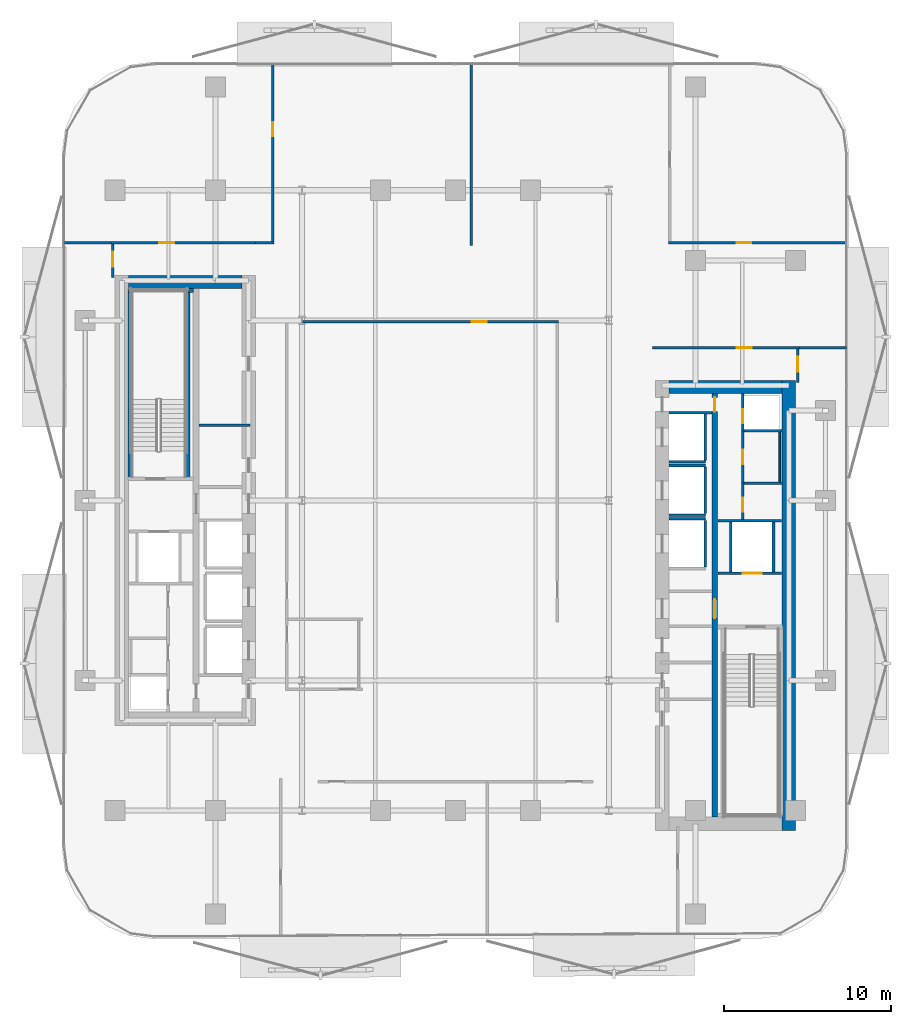
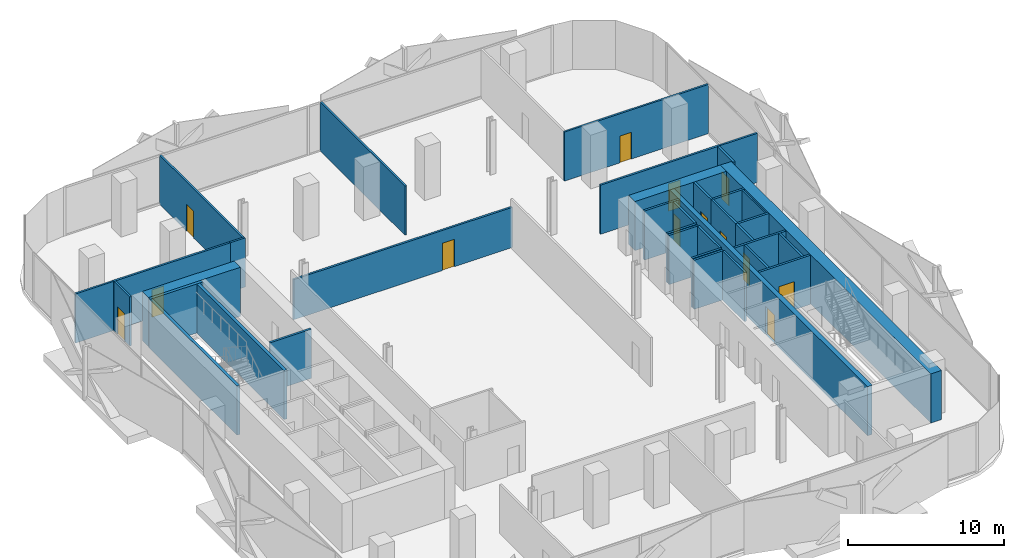
# One storey, part 5 of 15: 37 walls, 13 doors, 13 openings.
"""IFC4 building model written with IfcOpenShell, lengths in metres."""

from ifc_helpers import new_model, si_unit, direction, frame, frame_2d, origin, place, context, subcontext, project, spatial, rectangle, extrude, material, layer, layer_set, type_object, element, fill, save


model = new_model("IFC4")

# Units and contexts
model_context = context("Model", 3, precision=1e-05, world=origin(), true_north=direction((0.0, 1.0)))
body_context = subcontext(model_context, "Body", "Model", "MODEL_VIEW")
ifc_project = project(units=[si_unit("LENGTHUNIT", "METRE"), si_unit("AREAUNIT", "SQUARE_METRE"), si_unit("VOLUMEUNIT", "CUBIC_METRE"), si_unit("PLANEANGLEUNIT", "RADIAN"), si_unit("MASSUNIT", "GRAM", prefix="KILO")], contexts=[model_context])

# Site, building, storey
site_placement = place(None, origin())
site = spatial("IfcSite", under=ifc_project, at=site_placement, CompositionType="ELEMENT")
building_placement = place(site_placement, origin())
building = spatial("IfcBuilding", under=site, at=building_placement, Name="Khairoan Windgate Tower", CompositionType="ELEMENT")
storey_placement = place(building_placement, frame((0.0, 0.0, 147.800048828125)))
storey = spatial("IfcBuildingStorey", under=building, at=storey_placement, Name="L34", CompositionType="ELEMENT", Elevation=147.800048828125)

# Walls
ifc_material_1 = material(Name="Moisture-Resistant Gypsum Partition", Category="gypsum")
ifc_layer_1 = layer(ifc_material_1, 0.10009765625, Name="Moisture-Resistant Gypsum Partition")
ifc_layer_set_1 = layer_set([ifc_layer_1], Name="Moisture-Resistant Gypsum Partition")
wall_type_1 = type_object("IfcWallType", Name="Bathroom Wet-Area Partition Wall", PredefinedType="PARTITIONING", material=ifc_layer_set_1)
wall_1_placement = place(storey_placement, frame((19.449951171875, 4.090087890625, 0.0), z_axis=(0.0, 0.0, 1.0), x_axis=(0.0, -1.0, 0.0)))
element("IfcWall", 1, at=wall_1_placement, inside=storey, type_object=wall_type_1, Name="L34 Wet Room Side Wall 037", PredefinedType="PARTITIONING", context=body_context, shape_type="SweptSolid", body=[
    extrude(rectangle(XDim=2.97998046875, YDim=0.10009765625, at=frame_2d((1.489990234375, 0.0))), origin(), (0.0, 0.0, 1.0), 3.849853515625),
])
ifc_material_2 = material(Name="Concrete C40/50", Category="concrete")
ifc_layer_2 = layer(ifc_material_2, 0.159912109375, Name="Concrete C40/50")
ifc_layer_set_2 = layer_set([ifc_layer_2], Name="Concrete C40/50")
wall_type_2 = type_object("IfcWallType", Name="Core and Hoistway Enclosure Wall", PredefinedType="STANDARD", material=ifc_layer_set_2)
wall_2_placement = place(storey_placement, frame((12.800048828125, 2.31005859375, 0.0), z_axis=(0.0, 0.0, 1.0), x_axis=(1.0, 0.0, 0.0)))
element("IfcWall", 2, at=wall_2_placement, inside=storey, type_object=wall_type_2, Name="L34 Lift PL7 Hoistway Divider S", PredefinedType="STANDARD", context=body_context, shape_type="SweptSolid", body=[
    extrude(rectangle(XDim=2.18994140625, YDim=0.159912109375, at=frame_2d((1.094970703125, 0.0))), origin(), (0.0, 0.0, 1.0), 3.849853515625),
])
wall_3_placement = place(storey_placement, frame((14.989990234375, 2.39990234375, 0.0), z_axis=(0.0, 0.0, 1.0), x_axis=(0.0, 1.0, 0.0)))
element("IfcWall", 3, at=wall_3_placement, inside=storey, type_object=wall_type_2, Name="L34 Lift PL7 Hoistway Back Wall", PredefinedType="STANDARD", context=body_context, shape_type="SweptSolid", body=[
    extrude(rectangle(XDim=2.800048828125, YDim=0.159912109375, at=frame_2d((1.39990234375, 0.0))), origin(), (0.0, 0.0, 1.0), 3.849853515625),
])
for number, where, z_axis, x_axis, name in (
    (4, (12.800048828125, -0.889892578125, 0.0), (0.0, 0.0, 1.0), (1.0, 0.0, 0.0), "L34 Lift PL8 Hoistway Divider S"),
    (5, (12.800048828125, 2.090087890625, 0.0), (0.0, 0.0, 1.0), (1.0, 0.0, 0.0), "L34 Lift PL8 Hoistway Divider N"),
):
    element("IfcWall", number, at=place(storey_placement, frame(where, z_axis=z_axis, x_axis=x_axis)), inside=storey, type_object=wall_type_2, Name=name, PredefinedType="STANDARD", context=body_context, shape_type="SweptSolid", body=[
        extrude(rectangle(XDim=2.18994140625, YDim=0.159912109375, at=frame_2d((1.094970703125, 0.0))), origin(), (0.0, 0.0, 1.0), 3.849853515625),
    ])
wall_4_placement = place(storey_placement, frame((14.989990234375, -0.800048828125, 0.0), z_axis=(0.0, 0.0, 1.0), x_axis=(0.0, 1.0, 0.0)))
element("IfcWall", 6, at=wall_4_placement, inside=storey, type_object=wall_type_2, Name="L34 Lift PL8 Hoistway Back Wall", PredefinedType="STANDARD", context=body_context, shape_type="SweptSolid", body=[
    extrude(rectangle(XDim=2.800048828125, YDim=0.159912109375, at=frame_2d((1.39990234375, 0.0))), origin(), (0.0, 0.0, 1.0), 3.849853515625),
])
wall_5_placement = place(storey_placement, frame((12.800048828125, -1.110107421875, 0.0), z_axis=(0.0, 0.0, 1.0), x_axis=(1.0, 0.0, 0.0)))
element("IfcWall", 7, at=wall_5_placement, inside=storey, type_object=wall_type_2, Name="L34 Lift PL9 Hoistway Divider N", PredefinedType="STANDARD", context=body_context, shape_type="SweptSolid", body=[
    extrude(rectangle(XDim=2.18994140625, YDim=0.159912109375, at=frame_2d((1.094970703125, 0.0))), origin(), (0.0, 0.0, 1.0), 3.849853515625),
])
wall_6_placement = place(storey_placement, frame((14.989990234375, -4.0, 0.0), z_axis=(0.0, 0.0, 1.0), x_axis=(0.0, 1.0, 0.0)))
element("IfcWall", 8, at=wall_6_placement, inside=storey, type_object=wall_type_2, Name="L34 Lift PL9 Hoistway Back Wall", PredefinedType="STANDARD", context=body_context, shape_type="SweptSolid", body=[
    extrude(rectangle(XDim=2.800048828125, YDim=0.159912109375, at=frame_2d((1.39990234375, 0.0))), origin(), (0.0, 0.0, 1.0), 3.849853515625),
])

# Wall, opening, door
wall_7_placement = place(storey_placement, frame((15.75, -4.360107421875, 0.0), z_axis=(0.0, 0.0, 1.0), x_axis=(1.0, 0.0, 0.0)))
wall_7 = element("IfcWall", 9, at=wall_7_placement, inside=storey, type_object=wall_type_2, Name="L34 Core Shaft Wall SW-FL1-L34", PredefinedType="STANDARD", context=body_context, shape_type="SweptSolid", body=[
    extrude(rectangle(XDim=3.800048828125, YDim=0.159912109375, at=frame_2d((1.89990234375, 0.0))), origin(), (0.0, 0.0, 1.0), 3.849853515625),
])
opening_1_placement = place(wall_7_placement, frame((1.469970703125, 0.0, 0.0)))
opening_1 = element("IfcOpeningElement", 10, at=opening_1_placement, cuts=wall_7, Name="Opening LD-FL", PredefinedType="OPENING", context=body_context, shape_type="SweptSolid", body=[
    extrude(rectangle(XDim=1.14990234375, YDim=2.199951171875, at=frame_2d((0.574951171875, 1.10009765625))), frame((0.0, 0.08984375, 0.0), z_axis=(0.0, -1.0, 0.0), x_axis=(1.0, 0.0, 0.0)), (0.0, 0.0, 1.0), 0.179931640625),
])
ifc_material_3 = material(Name="Steel S355", Category="steel")
door_type_1 = type_object("IfcDoorType", Name="Firefighting Lift Sliding Landing Door LD-FL 1150x2200", OperationType="DOUBLE_DOOR_SLIDING", PredefinedType="DOOR", material=ifc_material_3)
door_1_placement = place(opening_1_placement, origin())
door_1 = element("IfcDoor", 11, at=door_1_placement, inside=storey, type_object=door_type_1, Name="L34 Firefighting Lift FL1 Landing Door", OperationType="DOUBLE_DOOR_SLIDING", OverallHeight=2.199951171875, OverallWidth=1.14990234375, PredefinedType="DOOR", context=body_context, shape_type="SweptSolid", body=[
    extrude(rectangle(XDim=1.14990234375, YDim=2.199951171875, at=frame_2d((0.574951171875, 1.10009765625))), frame((0.0, 0.02490234375, 0.0), z_axis=(0.0, -1.0, 0.0), x_axis=(1.0, 0.0, 0.0)), (0.0, 0.0, 1.0), 0.050048828125),
])
fill(opening_1, door_1)

# Walls
wall_8_placement = place(storey_placement, frame((15.75, -1.219970703125, 0.0), z_axis=(0.0, 0.0, 1.0), x_axis=(1.0, 0.0, 0.0)))
element("IfcWall", 12, at=wall_8_placement, inside=storey, type_object=wall_type_2, Name="L34 Core Shaft Wall SW-FL1T-L34", PredefinedType="STANDARD", context=body_context, shape_type="SweptSolid", body=[
    extrude(rectangle(XDim=3.800048828125, YDim=0.159912109375, at=frame_2d((1.89990234375, 0.0))), origin(), (0.0, 0.0, 1.0), 3.849853515625),
])
for number, where, z_axis, x_axis, name in (
    (13, (16.52001953125, -4.280029296875, 0.0), (0.0, 0.0, 1.0), (0.0, 1.0, 0.0), "L34 Core Shaft Wall SW-FL1W-L34"),
    (14, (19.080078125, -4.280029296875, 0.0), (0.0, 0.0, 1.0), (0.0, 1.0, 0.0), "L34 Core Shaft Wall SW-FL1E-L34"),
):
    element("IfcWall", number, at=place(storey_placement, frame(where, z_axis=z_axis, x_axis=x_axis)), inside=storey, type_object=wall_type_2, Name=name, PredefinedType="STANDARD", context=body_context, shape_type="SweptSolid", body=[
        extrude(rectangle(XDim=2.97998046875, YDim=0.159912109375, at=frame_2d((1.489990234375, 0.0))), origin(), (0.0, 0.0, 1.0), 3.849853515625),
    ])
wall_9_placement = place(storey_placement, frame((12.800048828125, 5.25, 0.0), z_axis=(0.0, 0.0, 1.0), x_axis=(1.0, 0.0, 0.0)))
element("IfcWall", 15, at=wall_9_placement, inside=storey, type_object=wall_type_2, Name="L34 Core Shaft Wall SW-ESV-L34", PredefinedType="STANDARD", context=body_context, shape_type="SweptSolid", body=[
    extrude(rectangle(XDim=2.599853515625, YDim=0.159912109375, at=frame_2d((1.2998046875, 0.0))), origin(), (0.0, 0.0, 1.0), 3.849853515625),
])
ifc_material_4 = material(Name="Acoustic Fire-Rated Gypsum Partition", Category="gypsum")
ifc_layer_3 = layer(ifc_material_4, 0.139892578125, Name="Acoustic Fire-Rated Gypsum Partition")
ifc_layer_set_3 = layer_set([ifc_layer_3], Name="Acoustic Fire-Rated Gypsum Partition")
wall_type_3 = type_object("IfcWallType", Name="Inter-Tenancy Compartment Wall", PredefinedType="PARTITIONING", material=ifc_layer_set_3)
for number, where, z_axis, x_axis, name in (
    (16, (-23.455078125, 15.4599609375, 0.0), (0.0, 0.0, 1.0), (1.0, 0.0, 0.0), "L34 Interior Partition 026"),
    (17, (20.639892578125, 9.159912109375, 0.0), (0.0, 0.0, 1.0), (1.0, 0.0, 0.0), "L34 Interior Partition 027"),
):
    element("IfcWall", number, at=place(storey_placement, frame(where, z_axis=z_axis, x_axis=x_axis)), inside=storey, type_object=wall_type_3, Name=name, PredefinedType="PARTITIONING", context=body_context, shape_type="SweptSolid", body=[
        extrude(rectangle(XDim=2.815185546875, YDim=0.139892578125, at=frame_2d((1.40771484375, 0.0))), origin(), (0.0, 0.0, 1.0), 3.849853515625),
    ])

# Wall, opening, door
wall_10_placement = place(storey_placement, frame((12.781982421875, 15.4599609375, 0.0), z_axis=(0.0, 0.0, 1.0), x_axis=(1.0, 0.0, 0.0)))
wall_10 = element("IfcWall", 18, at=wall_10_placement, inside=storey, type_object=wall_type_3, Name="L34 Interior Partition 028", PredefinedType="PARTITIONING", context=body_context, shape_type="SweptSolid", body=[
    extrude(rectangle(XDim=10.673095703125, YDim=0.139892578125, at=frame_2d((5.33642578125, 0.0))), origin(), (0.0, 0.0, 1.0), 3.849853515625),
])
opening_2_placement = place(wall_10_placement, frame((4.10205078125, 0.0, 0.0)))
opening_2 = element("IfcOpeningElement", 19, at=opening_2_placement, cuts=wall_10, Name="Opening FD-SRV", PredefinedType="OPENING", context=body_context, shape_type="SweptSolid", body=[
    extrude(rectangle(XDim=0.85009765625, YDim=2.10009765625, at=frame_2d((0.425048828125, 1.050048828125))), frame((0.0, 0.079833984375, 0.0), z_axis=(0.0, -1.0, 0.0), x_axis=(1.0, 0.0, 0.0)), (0.0, 0.0, 1.0), 0.159912109375),
])
ifc_material_5 = material(Name="Steel S355", Category="steel")
door_type_2 = type_object("IfcDoorType", Name="Core Service and Riser Fire Door FD-SRV 850x2100", OperationType="NOTDEFINED", PredefinedType="DOOR", material=ifc_material_5)
door_2_placement = place(opening_2_placement, origin())
door_2 = element("IfcDoor", 20, at=door_2_placement, inside=storey, type_object=door_type_2, Name="L34 L34-41-L34-45 Door", OperationType="SINGLE_SWING_RIGHT", OverallHeight=2.10009765625, OverallWidth=0.85009765625, PredefinedType="DOOR", context=body_context, shape_type="SweptSolid", body=[
    extrude(rectangle(XDim=0.85009765625, YDim=2.10009765625, at=frame_2d((0.425048828125, 1.050048828125))), frame((0.0, 0.02490234375, 0.0), z_axis=(0.0, -1.0, 0.0), x_axis=(1.0, 0.0, 0.0)), (0.0, 0.0, 1.0), 0.050048828125),
])
fill(opening_2, door_2)

wall_11_placement = place(storey_placement, frame((-10.947998046875, 15.534912109375, 0.0), z_axis=(0.0, 0.0, 1.0), x_axis=(0.0, 1.0, 0.0)))
wall_11 = element("IfcWall", 21, at=wall_11_placement, inside=storey, type_object=wall_type_3, Name="L34 Interior Partition 029", PredefinedType="PARTITIONING", context=body_context, shape_type="SweptSolid", body=[
    extrude(rectangle(XDim=10.6201171875, YDim=0.139892578125, at=frame_2d((5.31005859375, 0.0))), origin(), (0.0, 0.0, 1.0), 3.849853515625),
])
opening_3_placement = place(wall_11_placement, frame((6.29296875, 0.0, 0.0)))
opening_3 = element("IfcOpeningElement", 22, at=opening_3_placement, cuts=wall_11, Name="Opening FD-SRV", PredefinedType="OPENING", context=body_context, shape_type="SweptSolid", body=[
    extrude(rectangle(XDim=0.85009765625, YDim=2.10009765625, at=frame_2d((0.425048828125, 1.050048828125))), frame((0.0, 0.079833984375, 0.0), z_axis=(0.0, -1.0, 0.0), x_axis=(1.0, 0.0, 0.0)), (0.0, 0.0, 1.0), 0.159912109375),
])
door_3_placement = place(opening_3_placement, origin())
door_3 = element("IfcDoor", 23, at=door_3_placement, inside=storey, type_object=door_type_2, Name="L34 L34-42-L34-43 Door", OperationType="SINGLE_SWING_RIGHT", OverallHeight=2.10009765625, OverallWidth=0.85009765625, PredefinedType="DOOR", context=body_context, shape_type="SweptSolid", body=[
    extrude(rectangle(XDim=0.85009765625, YDim=2.10009765625, at=frame_2d((0.425048828125, 1.050048828125))), frame((0.0, 0.02490234375, 0.0), z_axis=(0.0, -1.0, 0.0), x_axis=(1.0, 0.0, 0.0)), (0.0, 0.0, 1.0), 0.050048828125),
])
fill(opening_3, door_3)

# Walls
wall_12_placement = place(storey_placement, frame((0.951904296875, 15.280029296875, 0.0), z_axis=(0.0, 0.0, 1.0), x_axis=(0.0, 1.0, 0.0)))
element("IfcWall", 24, at=wall_12_placement, inside=storey, type_object=wall_type_3, Name="L34 Interior Partition 030", PredefinedType="PARTITIONING", context=body_context, shape_type="SweptSolid", body=[
    extrude(rectangle(XDim=10.875, YDim=0.139892578125, at=frame_2d((5.4375, 0.0))), origin(), (0.0, 0.0, 1.0), 3.849853515625),
])
ifc_material_6 = material(Name="Concrete C40/50", Category="concrete")
ifc_layer_4 = layer(ifc_material_6, 0.159912109375, Name="Concrete C40/50")
ifc_layer_set_4 = layer_set([ifc_layer_4], Name="Concrete C40/50")
wall_type_4 = type_object("IfcWallType", Name="Plant and Refuge Compartment Wall", PredefinedType="PARTITIONING", material=ifc_layer_set_4)
wall_13_placement = place(storey_placement, frame((-15.375, 4.5, 0.0), z_axis=(0.0, 0.0, 1.0), x_axis=(1.0, 0.0, 0.0)))
element("IfcWall", 25, at=wall_13_placement, inside=storey, type_object=wall_type_4, Name="L34 Interior Partition 006", PredefinedType="PARTITIONING", context=body_context, shape_type="SweptSolid", body=[
    extrude(rectangle(XDim=3.06494140625, YDim=0.159912109375, at=frame_2d((1.532470703125, 0.0))), origin(), (0.0, 0.0, 1.0), 3.849853515625),
])

# Wall, opening, door
wall_14_placement = place(storey_placement, frame((17.22998046875, 4.169921875, 0.0), z_axis=(0.0, 0.0, 1.0), x_axis=(0.0, 1.0, 0.0)))
wall_14 = element("IfcWall", 26, at=wall_14_placement, inside=storey, type_object=wall_type_4, Name="L34 Interior Partition 007", PredefinedType="PARTITIONING", context=body_context, shape_type="SweptSolid", body=[
    extrude(rectangle(XDim=2.22998046875, YDim=0.159912109375, at=frame_2d((1.114990234375, 0.0))), origin(), (0.0, 0.0, 1.0), 3.849853515625),
])
opening_4_placement = place(wall_14_placement, frame((0.4599609375, 0.0, 0.0)))
opening_4 = element("IfcOpeningElement", 27, at=opening_4_placement, cuts=wall_14, Name="Opening FD-SRV", PredefinedType="OPENING", context=body_context, shape_type="SweptSolid", body=[
    extrude(rectangle(XDim=0.85009765625, YDim=2.10009765625, at=frame_2d((0.425048828125, 1.050048828125))), frame((0.0, 0.08984375, 0.0), z_axis=(0.0, -1.0, 0.0), x_axis=(1.0, 0.0, 0.0)), (0.0, 0.0, 1.0), 0.179931640625),
])
door_4_placement = place(opening_4_placement, origin())
door_4 = element("IfcDoor", 28, at=door_4_placement, inside=storey, type_object=door_type_2, Name="L34 L34-18-L34-19 Door", OperationType="SINGLE_SWING_LEFT", OverallHeight=2.10009765625, OverallWidth=0.85009765625, PredefinedType="DOOR", context=body_context, shape_type="SweptSolid", body=[
    extrude(rectangle(XDim=0.85009765625, YDim=2.10009765625, at=frame_2d((0.425048828125, 1.050048828125))), frame((0.0, 0.02490234375, 0.0), z_axis=(0.0, -1.0, 0.0), x_axis=(1.0, 0.0, 0.0)), (0.0, 0.0, 1.0), 0.050048828125),
])
fill(opening_4, door_4)

wall_15_placement = place(storey_placement, frame((17.22998046875, -1.139892578125, 0.0), z_axis=(0.0, 0.0, 1.0), x_axis=(0.0, 1.0, 0.0)))
wall_15 = element("IfcWall", 29, at=wall_15_placement, inside=storey, type_object=wall_type_4, Name="L34 Interior Partition 008", PredefinedType="PARTITIONING", context=body_context, shape_type="SweptSolid", body=[
    extrude(rectangle(XDim=2.169921875, YDim=0.159912109375, at=frame_2d((1.0849609375, 0.0))), origin(), (0.0, 0.0, 1.0), 3.849853515625),
])
opening_5_placement = place(wall_15_placement, frame((0.4599609375, 0.0, 0.0)))
opening_5 = element("IfcOpeningElement", 30, at=opening_5_placement, cuts=wall_15, Name="Opening FD-SRV", PredefinedType="OPENING", context=body_context, shape_type="SweptSolid", body=[
    extrude(rectangle(XDim=0.85009765625, YDim=2.10009765625, at=frame_2d((0.425048828125, 1.050048828125))), frame((0.0, 0.08984375, 0.0), z_axis=(0.0, -1.0, 0.0), x_axis=(1.0, 0.0, 0.0)), (0.0, 0.0, 1.0), 0.179931640625),
])
door_5_placement = place(opening_5_placement, origin())
door_5 = element("IfcDoor", 31, at=door_5_placement, inside=storey, type_object=door_type_2, Name="L34 L34-18-L34-20 Door", OperationType="SINGLE_SWING_RIGHT", OverallHeight=2.10009765625, OverallWidth=0.85009765625, PredefinedType="DOOR", context=body_context, shape_type="SweptSolid", body=[
    extrude(rectangle(XDim=0.85009765625, YDim=2.10009765625, at=frame_2d((0.425048828125, 1.050048828125))), frame((0.0, 0.02490234375, 0.0), z_axis=(0.0, -1.0, 0.0), x_axis=(1.0, 0.0, 0.0)), (0.0, 0.0, 1.0), 0.050048828125),
])
fill(opening_5, door_5)

wall_16_placement = place(storey_placement, frame((17.22998046875, 1.030029296875, 0.0), z_axis=(0.0, 0.0, 1.0), x_axis=(0.0, 1.0, 0.0)))
wall_16 = element("IfcWall", 32, at=wall_16_placement, inside=storey, type_object=wall_type_4, Name="L34 Interior Partition 009", PredefinedType="PARTITIONING", context=body_context, shape_type="SweptSolid", body=[
    extrude(rectangle(XDim=3.139892578125, YDim=0.159912109375, at=frame_2d((1.56982421875, 0.0))), origin(), (0.0, 0.0, 1.0), 3.849853515625),
])
opening_6_placement = place(wall_16_placement, frame((1.14501953125, 0.0, 0.0)))
opening_6 = element("IfcOpeningElement", 33, at=opening_6_placement, cuts=wall_16, Name="Opening FD-SRV", PredefinedType="OPENING", context=body_context, shape_type="SweptSolid", body=[
    extrude(rectangle(XDim=0.85009765625, YDim=2.10009765625, at=frame_2d((0.425048828125, 1.050048828125))), frame((0.0, 0.08984375, 0.0), z_axis=(0.0, -1.0, 0.0), x_axis=(1.0, 0.0, 0.0)), (0.0, 0.0, 1.0), 0.179931640625),
])
door_6_placement = place(opening_6_placement, origin())
door_6 = element("IfcDoor", 34, at=door_6_placement, inside=storey, type_object=door_type_2, Name="L34 L34-18-L34-21 Door", OperationType="SINGLE_SWING_LEFT", OverallHeight=2.10009765625, OverallWidth=0.85009765625, PredefinedType="DOOR", context=body_context, shape_type="SweptSolid", body=[
    extrude(rectangle(XDim=0.85009765625, YDim=2.10009765625, at=frame_2d((0.425048828125, 1.050048828125))), frame((0.0, 0.02490234375, 0.0), z_axis=(0.0, -1.0, 0.0), x_axis=(1.0, 0.0, 0.0)), (0.0, 0.0, 1.0), 0.050048828125),
])
fill(opening_6, door_6)

# Walls
for number, where, z_axis, x_axis, name in (
    (35, (17.31005859375, 4.169921875, 0.0), (0.0, 0.0, 1.0), (1.0, 0.0, 0.0), "L34 Interior Partition 010"),
    (36, (17.31005859375, 1.030029296875, 0.0), (0.0, 0.0, 1.0), (1.0, 0.0, 0.0), "L34 Interior Partition 011"),
):
    element("IfcWall", number, at=place(storey_placement, frame(where, z_axis=z_axis, x_axis=x_axis)), inside=storey, type_object=wall_type_4, Name=name, PredefinedType="PARTITIONING", context=body_context, shape_type="SweptSolid", body=[
        extrude(rectangle(XDim=2.2900390625, YDim=0.159912109375, at=frame_2d((1.14501953125, 0.0))), origin(), (0.0, 0.0, 1.0), 3.849853515625),
    ])
ifc_material_7 = material(Name="Acoustic Fire-Rated Gypsum Partition", Category="gypsum")
ifc_layer_5 = layer(ifc_material_7, 0.14990234375, Name="Acoustic Fire-Rated Gypsum Partition")
ifc_layer_set_5 = layer_set([ifc_layer_5], Name="Acoustic Fire-Rated Gypsum Partition")
wall_type_5 = type_object("IfcWallType", Name="Rated Corridor Partition Wall", PredefinedType="PARTITIONING", material=ifc_layer_set_5)
wall_17_placement = place(storey_placement, frame((-11.989990234375, 15.4599609375, 0.0), z_axis=(0.0, 0.0, 1.0), x_axis=(1.0, 0.0, 0.0)))
element("IfcWall", 37, at=wall_17_placement, inside=storey, type_object=wall_type_5, Name="L34 Interior Partition 014", PredefinedType="PARTITIONING", context=body_context, shape_type="SweptSolid", body=[
    extrude(rectangle(XDim=1.112060546875, YDim=0.14990234375, at=frame_2d((0.55615234375, 0.0))), origin(), (0.0, 0.0, 1.0), 3.849853515625),
])

# Wall, opening, door
wall_18_placement = place(storey_placement, frame((-10.02490234375, 10.719970703125, 0.0), z_axis=(0.0, 0.0, 1.0), x_axis=(1.0, 0.0, 0.0)))
wall_18 = element("IfcWall", 38, at=wall_18_placement, inside=storey, type_object=wall_type_5, Name="L34 Interior Partition 017", PredefinedType="PARTITIONING", context=body_context, shape_type="SweptSolid", body=[
    extrude(rectangle(XDim=16.219970703125, YDim=0.14990234375, at=frame_2d((8.10986328125, 0.0))), origin(), (0.0, 0.0, 1.0), 3.14990234375),
])
opening_7_placement = place(wall_18_placement, frame((11.006591796875, 0.0, 0.0)))
opening_7 = element("IfcOpeningElement", 39, at=opening_7_placement, cuts=wall_18, Name="Opening FD-ENT", PredefinedType="OPENING", context=body_context, shape_type="SweptSolid", body=[
    extrude(rectangle(XDim=0.89990234375, YDim=2.14990234375, at=frame_2d((0.449951171875, 1.074951171875))), frame((0.0, 0.0849609375, 0.0), z_axis=(0.0, -1.0, 0.0), x_axis=(1.0, 0.0, 0.0)), (0.0, 0.0, 1.0), 0.169921875),
])
ifc_material_8 = material(Name="Timber Fire-Rated Core", Category="wood")
door_type_3 = type_object("IfcDoorType", Name="Unit and Office Fire Entrance Door FD-ENT 900x2150", OperationType="NOTDEFINED", PredefinedType="DOOR", material=ifc_material_8)
door_7_placement = place(opening_7_placement, origin())
door_7 = element("IfcDoor", 40, at=door_7_placement, inside=storey, type_object=door_type_3, Name="L34 L34-32-L34-51 Door", OperationType="SINGLE_SWING_LEFT", OverallHeight=2.14990234375, OverallWidth=0.89990234375, PredefinedType="DOOR", context=body_context, shape_type="SweptSolid", body=[
    extrude(rectangle(XDim=0.89990234375, YDim=2.14990234375, at=frame_2d((0.449951171875, 1.074951171875))), frame((0.0, 0.02490234375, 0.0), z_axis=(0.0, -1.0, 0.0), x_axis=(1.0, 0.0, 0.0)), (0.0, 0.0, 1.0), 0.050048828125),
])
fill(opening_7, door_7)

wall_19_placement = place(storey_placement, frame((-20.5400390625, 13.360107421875, 0.0), z_axis=(0.0, 0.0, 1.0), x_axis=(0.0, 1.0, 0.0)))
wall_19 = element("IfcWall", 41, at=wall_19_placement, inside=storey, type_object=wall_type_5, Name="L34 Interior Partition 020", PredefinedType="PARTITIONING", context=body_context, shape_type="SweptSolid", body=[
    extrude(rectangle(XDim=2.02490234375, YDim=0.14990234375, at=frame_2d((1.012451171875, 0.0))), origin(), (0.0, 0.0, 1.0), 3.849853515625),
])
opening_8_placement = place(wall_19_placement, frame((0.6650390625, 0.0, 0.0)))
opening_8 = element("IfcOpeningElement", 42, at=opening_8_placement, cuts=wall_19, Name="Opening FD-ENT", PredefinedType="OPENING", context=body_context, shape_type="SweptSolid", body=[
    extrude(rectangle(XDim=0.89990234375, YDim=2.14990234375, at=frame_2d((0.449951171875, 1.074951171875))), frame((0.0, 0.0849609375, 0.0), z_axis=(0.0, -1.0, 0.0), x_axis=(1.0, 0.0, 0.0)), (0.0, 0.0, 1.0), 0.169921875),
])
door_8_placement = place(opening_8_placement, origin())
door_8 = element("IfcDoor", 43, at=door_8_placement, inside=storey, type_object=door_type_3, Name="L34 L34-35-L34-39 Door", OperationType="SINGLE_SWING_RIGHT", OverallHeight=2.14990234375, OverallWidth=0.89990234375, PredefinedType="DOOR", context=body_context, shape_type="SweptSolid", body=[
    extrude(rectangle(XDim=0.89990234375, YDim=2.14990234375, at=frame_2d((0.449951171875, 1.074951171875))), frame((0.0, 0.02490234375, 0.0), z_axis=(0.0, -1.0, 0.0), x_axis=(1.0, 0.0, 0.0)), (0.0, 0.0, 1.0), 0.050048828125),
])
fill(opening_8, door_8)

wall_20_placement = place(storey_placement, frame((-20.639892578125, 15.4599609375, 0.0), z_axis=(0.0, 0.0, 1.0), x_axis=(1.0, 0.0, 0.0)))
wall_20 = element("IfcWall", 44, at=wall_20_placement, inside=storey, type_object=wall_type_5, Name="L34 Interior Partition 021", PredefinedType="PARTITIONING", context=body_context, shape_type="SweptSolid", body=[
    extrude(rectangle(XDim=8.64990234375, YDim=0.14990234375, at=frame_2d((4.324951171875, 0.0))), origin(), (0.0, 0.0, 1.0), 3.849853515625),
])
opening_9_placement = place(wall_20_placement, frame((2.87060546875, 0.0, 0.0)))
opening_9 = element("IfcOpeningElement", 45, at=opening_9_placement, cuts=wall_20, Name="Opening FD-ENT", PredefinedType="OPENING", context=body_context, shape_type="SweptSolid", body=[
    extrude(rectangle(XDim=0.89990234375, YDim=2.14990234375, at=frame_2d((0.449951171875, 1.074951171875))), frame((0.0, 0.0849609375, 0.0), z_axis=(0.0, -1.0, 0.0), x_axis=(1.0, 0.0, 0.0)), (0.0, 0.0, 1.0), 0.169921875),
])
door_9_placement = place(opening_9_placement, origin())
door_9 = element("IfcDoor", 46, at=door_9_placement, inside=storey, type_object=door_type_3, Name="L34 L34-35-L34-42 Door", OperationType="SINGLE_SWING_LEFT", OverallHeight=2.14990234375, OverallWidth=0.89990234375, PredefinedType="DOOR", context=body_context, shape_type="SweptSolid", body=[
    extrude(rectangle(XDim=0.89990234375, YDim=2.14990234375, at=frame_2d((0.449951171875, 1.074951171875))), frame((0.0, 0.02490234375, 0.0), z_axis=(0.0, -1.0, 0.0), x_axis=(1.0, 0.0, 0.0)), (0.0, 0.0, 1.0), 0.050048828125),
])
fill(opening_9, door_9)

wall_21_placement = place(storey_placement, frame((20.5400390625, 7.06005859375, 0.0), z_axis=(0.0, 0.0, 1.0), x_axis=(0.0, 1.0, 0.0)))
wall_21 = element("IfcWall", 47, at=wall_21_placement, inside=storey, type_object=wall_type_5, Name="L34 Interior Partition 022", PredefinedType="PARTITIONING", context=body_context, shape_type="SweptSolid", body=[
    extrude(rectangle(XDim=2.02490234375, YDim=0.14990234375, at=frame_2d((1.012451171875, 0.0))), origin(), (0.0, 0.0, 1.0), 3.849853515625),
])
opening_10_placement = place(wall_21_placement, frame((0.6650390625, 0.0, 0.0)))
opening_10 = element("IfcOpeningElement", 48, at=opening_10_placement, cuts=wall_21, Name="Opening FD-ENT", PredefinedType="OPENING", context=body_context, shape_type="SweptSolid", body=[
    extrude(rectangle(XDim=0.89990234375, YDim=2.14990234375, at=frame_2d((0.449951171875, 1.074951171875))), frame((0.0, 0.0849609375, 0.0), z_axis=(0.0, -1.0, 0.0), x_axis=(1.0, 0.0, 0.0)), (0.0, 0.0, 1.0), 0.169921875),
])
door_10_placement = place(opening_10_placement, origin())
door_10 = element("IfcDoor", 49, at=door_10_placement, inside=storey, type_object=door_type_3, Name="L34 L34-36-L34-40 Door", OperationType="SINGLE_SWING_RIGHT", OverallHeight=2.14990234375, OverallWidth=0.89990234375, PredefinedType="DOOR", context=body_context, shape_type="SweptSolid", body=[
    extrude(rectangle(XDim=0.89990234375, YDim=2.14990234375, at=frame_2d((0.449951171875, 1.074951171875))), frame((0.0, 0.02490234375, 0.0), z_axis=(0.0, -1.0, 0.0), x_axis=(1.0, 0.0, 0.0)), (0.0, 0.0, 1.0), 0.050048828125),
])
fill(opening_10, door_10)

wall_22_placement = place(storey_placement, frame((11.81005859375, 9.159912109375, 0.0), z_axis=(0.0, 0.0, 1.0), x_axis=(1.0, 0.0, 0.0)))
wall_22 = element("IfcWall", 50, at=wall_22_placement, inside=storey, type_object=wall_type_5, Name="L34 Interior Partition 023", PredefinedType="PARTITIONING", context=body_context, shape_type="SweptSolid", body=[
    extrude(rectangle(XDim=8.829833984375, YDim=0.14990234375, at=frame_2d((4.4150390625, 0.0))), origin(), (0.0, 0.0, 1.0), 3.849853515625),
])
opening_11_placement = place(wall_22_placement, frame((5.066650390625, 0.0, 0.0)))
opening_11 = element("IfcOpeningElement", 51, at=opening_11_placement, cuts=wall_22, Name="Opening FD-ENT", PredefinedType="OPENING", context=body_context, shape_type="SweptSolid", body=[
    extrude(rectangle(XDim=0.89990234375, YDim=2.14990234375, at=frame_2d((0.449951171875, 1.074951171875))), frame((0.0, 0.0849609375, 0.0), z_axis=(0.0, -1.0, 0.0), x_axis=(1.0, 0.0, 0.0)), (0.0, 0.0, 1.0), 0.169921875),
])
door_11_placement = place(opening_11_placement, origin())
door_11 = element("IfcDoor", 52, at=door_11_placement, inside=storey, type_object=door_type_3, Name="L34 L34-36-L34-41 Door", OperationType="SINGLE_SWING_LEFT", OverallHeight=2.14990234375, OverallWidth=0.89990234375, PredefinedType="DOOR", context=body_context, shape_type="SweptSolid", body=[
    extrude(rectangle(XDim=0.89990234375, YDim=2.14990234375, at=frame_2d((0.449951171875, 1.074951171875))), frame((0.0, 0.02490234375, 0.0), z_axis=(0.0, -1.0, 0.0), x_axis=(1.0, 0.0, 0.0)), (0.0, 0.0, 1.0), 0.050048828125),
])
fill(opening_11, door_11)

# Walls
ifc_material_9 = material(Name="Concrete C70/85", Category="concrete")
ifc_layer_6 = layer(ifc_material_9, 0.800048828125, Name="Concrete C70/85")
ifc_layer_set_6 = layer_set([ifc_layer_6], Name="Concrete C70/85")
wall_type_6 = type_object("IfcWallType", Name="Shear Wall CW-E1 800mm", PredefinedType="SHEAR", material=ifc_layer_set_6)
wall_23_placement = place(storey_placement, frame((20.0, -19.800048828125, 0.0), z_axis=(0.0, 0.0, 1.0), x_axis=(0.0, 1.0, 0.0)))
element("IfcWall", 53, at=wall_23_placement, inside=storey, type_object=wall_type_6, Name="E Core East Shear Wall L34", PredefinedType="SHEAR", context=body_context, shape_type="SweptSolid", body=[
    extrude(rectangle(XDim=27.0, YDim=0.800048828125, at=frame_2d((13.5, 0.0))), origin(), (0.0, 0.0, 1.0), 3.849853515625),
])
wall_24_placement = place(storey_placement, frame((12.800048828125, 6.800048828125, 0.0), z_axis=(0.0, 0.0, 1.0), x_axis=(1.0, 0.0, 0.0)))
element("IfcWall", 54, at=wall_24_placement, inside=storey, type_object=wall_type_6, Name="E Core North Shear Wall L34", PredefinedType="SHEAR", context=body_context, shape_type="SweptSolid", body=[
    extrude(rectangle(XDim=6.800048828125, YDim=0.800048828125, at=frame_2d((3.39990234375, 0.0))), origin(), (0.0, 0.0, 1.0), 3.849853515625),
])
ifc_material_10 = material(Name="Concrete C70/85", Category="concrete")
ifc_layer_7 = layer(ifc_material_10, 0.800048828125, Name="Concrete C70/85")
ifc_layer_set_7 = layer_set([ifc_layer_7], Name="Concrete C70/85")
wall_type_7 = type_object("IfcWallType", Name="Shear Wall CW-W1 800mm", PredefinedType="SHEAR", material=ifc_layer_set_7)
wall_25_placement = place(storey_placement, frame((-19.60009765625, 13.10009765625, 0.0), z_axis=(0.0, 0.0, 1.0), x_axis=(1.0, 0.0, 0.0)))
element("IfcWall", 55, at=wall_25_placement, inside=storey, type_object=wall_type_7, Name="W Core North Shear Wall L34", PredefinedType="SHEAR", context=body_context, shape_type="SweptSolid", body=[
    extrude(rectangle(XDim=6.800048828125, YDim=0.800048828125, at=frame_2d((3.39990234375, 0.0))), origin(), (0.0, 0.0, 1.0), 3.849853515625),
])

# Wall, openings, doors
ifc_material_11 = material(Name="Concrete C60/75", Category="concrete")
ifc_layer_8 = layer(ifc_material_11, 0.35009765625, Name="Concrete C60/75")
ifc_layer_set_8 = layer_set([ifc_layer_8], Name="Concrete C60/75")
wall_type_8 = type_object("IfcWallType", Name="Shear Wall SW-1 350mm", PredefinedType="SHEAR", material=ifc_layer_set_8)
wall_26_placement = place(storey_placement, frame((15.550048828125, -19.0, 0.0), z_axis=(0.0, 0.0, 1.0), x_axis=(0.0, 1.0, 0.0)))
wall_26 = element("IfcWall", 56, at=wall_26_placement, inside=storey, type_object=wall_type_8, Name="E Core Spine Shear Wall L34", PredefinedType="SHEAR", context=body_context, shape_type="SweptSolid", body=[
    extrude(rectangle(XDim=25.39990234375, YDim=0.35009765625, at=frame_2d((12.699951171875, 0.0))), origin(), (0.0, 0.0, 1.0), 3.849853515625),
])
opening_12_placement = place(wall_26_placement, frame((11.925048828125, 0.0, 0.0)))
opening_12 = element("IfcOpeningElement", 57, at=opening_12_placement, cuts=wall_26, Name="Opening FD-FFL", PredefinedType="OPENING", context=body_context, shape_type="SweptSolid", body=[
    extrude(rectangle(XDim=1.14990234375, YDim=2.199951171875, at=frame_2d((0.574951171875, 1.10009765625))), frame((0.0, 0.18505859375, 0.0), z_axis=(0.0, -1.0, 0.0), x_axis=(1.0, 0.0, 0.0)), (0.0, 0.0, 1.0), 0.3701171875),
])
opening_13_placement = place(wall_26_placement, frame((24.324951171875, 0.0, 0.0)))
opening_13 = element("IfcOpeningElement", 58, at=opening_13_placement, cuts=wall_26, Name="Opening FD-SRV", PredefinedType="OPENING", context=body_context, shape_type="SweptSolid", body=[
    extrude(rectangle(XDim=0.85009765625, YDim=2.10009765625, at=frame_2d((0.425048828125, 1.050048828125))), frame((0.0, 0.18505859375, 0.0), z_axis=(0.0, -1.0, 0.0), x_axis=(1.0, 0.0, 0.0)), (0.0, 0.0, 1.0), 0.3701171875),
])
door_12_placement = place(opening_13_placement, origin())
door_12 = element("IfcDoor", 59, at=door_12_placement, inside=storey, type_object=door_type_2, Name="L34 East Core Service Passage Inner Door", OperationType="SINGLE_SWING_LEFT", OverallHeight=2.10009765625, OverallWidth=0.85009765625, PredefinedType="DOOR", context=body_context, shape_type="SweptSolid", body=[
    extrude(rectangle(XDim=0.85009765625, YDim=2.10009765625, at=frame_2d((0.425048828125, 1.050048828125))), frame((0.0, 0.02490234375, 0.0), z_axis=(0.0, -1.0, 0.0), x_axis=(1.0, 0.0, 0.0)), (0.0, 0.0, 1.0), 0.050048828125),
])
fill(opening_13, door_12)
ifc_material_12 = material(Name="Steel S355", Category="steel")
door_type_4 = type_object("IfcDoorType", Name="Firefighting Lobby Fire Door FD-FFL 1150x2200", OperationType="NOTDEFINED", PredefinedType="DOOR", material=ifc_material_12)
door_13_placement = place(opening_12_placement, origin())
door_13 = element("IfcDoor", 60, at=door_13_placement, inside=storey, type_object=door_type_4, Name="L34 East Firefighting Lobby Fire Door", OperationType="SINGLE_SWING_LEFT", OverallHeight=2.199951171875, OverallWidth=1.14990234375, PredefinedType="DOOR", context=body_context, shape_type="SweptSolid", body=[
    extrude(rectangle(XDim=1.14990234375, YDim=2.199951171875, at=frame_2d((0.574951171875, 1.10009765625))), frame((0.0, 0.02490234375, 0.0), z_axis=(0.0, -1.0, 0.0), x_axis=(1.0, 0.0, 0.0)), (0.0, 0.0, 1.0), 0.050048828125),
])
fill(opening_12, door_13)

# Walls
ifc_material_13 = material(Name="Concrete C50/60", Category="concrete")
ifc_layer_9 = layer(ifc_material_13, 0.219970703125, Name="Concrete C50/60")
ifc_layer_set_9 = layer_set([ifc_layer_9], Name="Concrete C50/60")
wall_type_9 = type_object("IfcWallType", Name="Shear Wall SW-ST 220mm", PredefinedType="SHEAR", material=ifc_layer_set_9)
for number, where, z_axis, x_axis, name in (
    (61, (-16.0400390625, 1.2900390625, 0.0), (0.0, 0.0, 1.0), (0.0, 1.0, 0.0), "L34 Stair ST2 East Bearing Wall"),
    (62, (-19.530029296875, 1.2900390625, 0.0), (0.0, 0.0, 1.0), (0.0, 1.0, 0.0), "L34 Stair ST2 West Bearing Wall"),
):
    element("IfcWall", number, at=place(storey_placement, frame(where, z_axis=z_axis, x_axis=x_axis)), inside=storey, type_object=wall_type_9, Name=name, PredefinedType="SHEAR", context=body_context, shape_type="SweptSolid", body=[
        extrude(rectangle(XDim=11.300048828125, YDim=0.219970703125, at=frame_2d((5.64990234375, 0.0))), origin(), (0.0, 0.0, 1.0), 3.849853515625),
    ])
wall_27_placement = place(storey_placement, frame((-19.6201171875, 12.590087890625, 0.0), z_axis=(0.0, 0.0, 1.0), x_axis=(1.0, 0.0, 0.0)))
element("IfcWall", 63, at=wall_27_placement, inside=storey, type_object=wall_type_9, Name="L34 Stair ST2 North Bearing Wall", PredefinedType="SHEAR", context=body_context, shape_type="SweptSolid", body=[
    extrude(rectangle(XDim=3.9150390625, YDim=0.219970703125, at=frame_2d((1.95751953125, 0.0))), origin(), (0.0, 0.0, 1.0), 3.849853515625),
])

save(model, "model.ifc")
